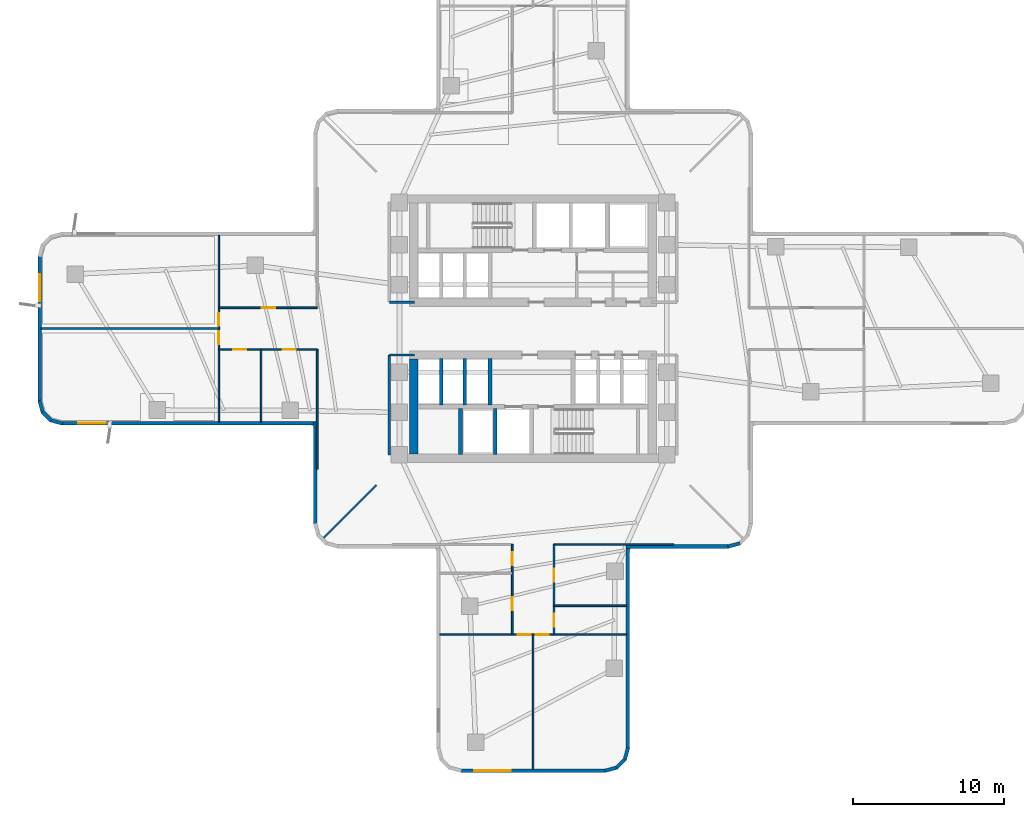
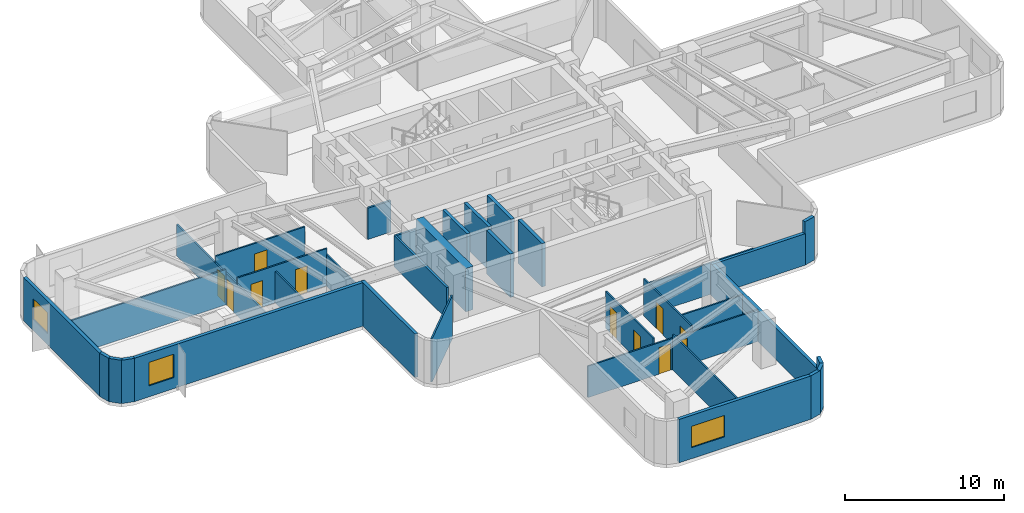
# One storey, part 3 of 9: 35 walls, 11 doors, 3 windows, 14 openings.
"""IFC4 building model written with IfcOpenShell, lengths in metres."""

from ifc_helpers import new_model, si_unit, direction, frame, frame_2d, origin, place, context, subcontext, project, spatial, rectangle, extrude, material, layer, layer_set, type_object, element, fill, save


model = new_model("IFC4")

# Units and contexts
model_context = context("Model", 3, precision=1e-05, world=origin(), true_north=direction((0.0, 1.0)))
body_context = subcontext(model_context, "Body", "Model", "MODEL_VIEW")
ifc_project = project(units=[si_unit("LENGTHUNIT", "METRE"), si_unit("AREAUNIT", "SQUARE_METRE"), si_unit("VOLUMEUNIT", "CUBIC_METRE"), si_unit("PLANEANGLEUNIT", "RADIAN"), si_unit("MASSUNIT", "GRAM", prefix="KILO")], contexts=[model_context])

# Site, building, storey
site_placement = place(None, origin())
site = spatial("IfcSite", under=ifc_project, at=site_placement, CompositionType="ELEMENT")
building_placement = place(site_placement, origin())
building = spatial("IfcBuilding", under=site, at=building_placement, Name="Solmarez Civic Tower", CompositionType="ELEMENT")
storey_placement = place(building_placement, frame((0.0, 0.0, 28.080078125)))
storey = spatial("IfcBuildingStorey", under=building, at=storey_placement, Name="L06", CompositionType="ELEMENT", Elevation=28.080078125)

# Wall
ifc_material_1 = material(Name="Concrete C60/75", Category="concrete")
ifc_layer_1 = layer(ifc_material_1, 0.550048828125)
ifc_layer_set_1 = layer_set([ifc_layer_1], Name="Concrete C60/75")
wall_type_1 = type_object("IfcWallType", Name="WALL-CORE-550", PredefinedType="SHEAR", material=ifc_layer_set_1)
wall_1_placement = place(storey_placement, frame((-7.89501953125, -8.31005859375, 0.0), z_axis=(0.0, 0.0, 1.0), x_axis=(0.0, 1.0, 0.0)))
element("IfcWall", 1, at=wall_1_placement, inside=storey, type_object=wall_type_1, Name="L06 Split-Core Structural Wall SCW-W-L06", PredefinedType="SHEAR", context=body_context, shape_type="SweptSolid", body=[
    extrude(rectangle(XDim=6.28515625, YDim=0.550048828125, at=frame_2d((3.142578125, 0.0))), origin(), (0.0, 0.0, 1.0), 3.33984375),
])

# Wall, opening, window
ifc_material_2 = material(Name="Precast concrete C40/50", Category="concrete")
ifc_layer_2 = layer(ifc_material_2, 0.239990234375)
ifc_layer_set_2 = layer_set([ifc_layer_2], Name="Precast concrete C40/50")
wall_type_2 = type_object("IfcWallType", Name="WALL-EXT-240", PredefinedType="SOLIDWALL", material=ifc_layer_set_2)
wall_2_placement = place(storey_placement, frame((-14.333984375, -6.280029296875, 0.0), z_axis=(0.0, 0.0, 1.0), x_axis=(-1.0, 0.0, 0.0)))
wall_2 = element("IfcWall", 2, at=wall_2_placement, inside=storey, type_object=wall_type_2, Name="L06 Exterior Precast Wall 2", PredefinedType="SOLIDWALL", context=body_context, shape_type="SweptSolid", body=[
    extrude(rectangle(XDim=16.875, YDim=0.239990234375, at=frame_2d((8.4375, 0.0))), origin(), (0.0, 0.0, 1.0), 3.33984375),
])
opening_1_placement = place(wall_2_placement, frame((13.97509765625, 0.0, 0.85009765625)))
opening_1 = element("IfcOpeningElement", 3, at=opening_1_placement, cuts=wall_2, Name="Opening W-08", PredefinedType="OPENING", context=body_context, shape_type="SweptSolid", body=[
    extrude(rectangle(XDim=1.800048828125, YDim=1.800048828125, at=frame_2d((0.89990234375, 0.89990234375))), frame((0.0, 0.1298828125, 0.0), z_axis=(0.0, -1.0, 0.0), x_axis=(1.0, 0.0, 0.0)), (0.0, 0.0, 1.0), 0.260009765625),
])
ifc_material_3 = material(Name="Solar Control Bronze-Tinted Insulating Glass", Category="glass")
window_type_1 = type_object("IfcWindowType", Name="WIN-1800X1800", PartitioningType="SINGLE_PANEL", PredefinedType="WINDOW", material=ifc_material_3)
window_1_placement = place(opening_1_placement, origin())
window_1 = element("IfcWindow", 4, at=window_1_placement, inside=storey, type_object=window_type_1, Name="L06 Exterior Facade Window 2", OverallHeight=1.800048828125, OverallWidth=1.800048828125, PartitioningType="SINGLE_PANEL", PredefinedType="WINDOW", context=body_context, shape_type="SweptSolid", body=[
    extrude(rectangle(XDim=1.800048828125, YDim=1.800048828125, at=frame_2d((0.89990234375, 0.89990234375))), frame((0.0, 0.030029296875, 0.0), z_axis=(0.0, -1.0, 0.0), x_axis=(1.0, 0.0, 0.0)), (0.0, 0.0, 1.0), 0.06005859375),
])
fill(opening_1, window_1)

# Walls
wall_3_placement = place(storey_placement, frame((-31.159912109375, -6.285888671875, 0.0), z_axis=(0.0, 0.0, 1.0), x_axis=(-0.966234939601, 0.25766265056, 0.0)))
element("IfcWall", 5, at=wall_3_placement, inside=storey, type_object=wall_type_2, Name="L06 Exterior Precast Wall 3", PredefinedType="SOLIDWALL", context=body_context, shape_type="SweptSolid", body=[
    extrude(rectangle(XDim=0.830078125, YDim=0.239990234375, at=frame_2d((0.4150390625, 0.0))), origin(), (0.0, 0.0, 1.0), 3.33984375),
])
wall_4_placement = place(storey_placement, frame((-31.919921875, -6.095947265625, 0.0), z_axis=(0.0, 0.0, 1.0), x_axis=(-0.707256607812, 0.706956922808, 0.0)))
element("IfcWall", 6, at=wall_4_placement, inside=storey, type_object=wall_type_2, Name="L06 Exterior Precast Wall 4", PredefinedType="SOLIDWALL", context=body_context, shape_type="SweptSolid", body=[
    extrude(rectangle(XDim=0.814697265625, YDim=0.239990234375, at=frame_2d((0.4072265625, 0.0))), origin(), (0.0, 0.0, 1.0), 3.33984375),
])
wall_5_placement = place(storey_placement, frame((-32.471923828125, -5.56201171875, 0.0), z_axis=(0.0, 0.0, 1.0), x_axis=(-0.257937227116, 0.966161677396, 0.0)))
element("IfcWall", 7, at=wall_5_placement, inside=storey, type_object=wall_type_2, Name="L06 Exterior Precast Wall 5", PredefinedType="SOLIDWALL", context=body_context, shape_type="SweptSolid", body=[
    extrude(rectangle(XDim=0.830078125, YDim=0.239990234375, at=frame_2d((0.4150390625, 0.0))), origin(), (0.0, 0.0, 1.0), 3.33984375),
])

# Wall, opening, window
wall_6_placement = place(storey_placement, frame((-32.679931640625, -4.80908203125, 0.0), z_axis=(0.0, 0.0, 1.0), x_axis=(0.0, 1.0, 0.0)))
wall_6 = element("IfcWall", 8, at=wall_6_placement, inside=storey, type_object=wall_type_2, Name="L06 Exterior Precast Wall 6", PredefinedType="SOLIDWALL", context=body_context, shape_type="SweptSolid", body=[
    extrude(rectangle(XDim=9.6181640625, YDim=0.239990234375, at=frame_2d((4.80908203125, 0.0))), origin(), (0.0, 0.0, 1.0), 3.33984375),
])
opening_2_placement = place(wall_6_placement, frame((6.60205078125, 0.0, 0.85009765625)))
opening_2 = element("IfcOpeningElement", 9, at=opening_2_placement, cuts=wall_6, Name="Opening W-12", PredefinedType="OPENING", context=body_context, shape_type="SweptSolid", body=[
    extrude(rectangle(XDim=1.800048828125, YDim=1.60009765625, at=frame_2d((0.89990234375, 0.800048828125))), frame((0.0, 0.1298828125, 0.0), z_axis=(0.0, -1.0, 0.0), x_axis=(1.0, 0.0, 0.0)), (0.0, 0.0, 1.0), 0.260009765625),
])
window_type_2 = type_object("IfcWindowType", Name="WIN-1800X1600", PartitioningType="SINGLE_PANEL", PredefinedType="WINDOW", material=ifc_material_3)
window_2_placement = place(opening_2_placement, origin())
window_2 = element("IfcWindow", 10, at=window_2_placement, inside=storey, type_object=window_type_2, Name="L06 Exterior Facade Window 6", OverallHeight=1.60009765625, OverallWidth=1.800048828125, PartitioningType="SINGLE_PANEL", PredefinedType="WINDOW", context=body_context, shape_type="SweptSolid", body=[
    extrude(rectangle(XDim=1.800048828125, YDim=1.60009765625, at=frame_2d((0.89990234375, 0.800048828125))), frame((0.0, 0.030029296875, 0.0), z_axis=(0.0, -1.0, 0.0), x_axis=(1.0, 0.0, 0.0)), (0.0, 0.0, 1.0), 0.06005859375),
])
fill(opening_2, window_2)

# Walls
wall_7_placement = place(storey_placement, frame((13.7119140625, -14.221923828125, 0.0), z_axis=(0.0, 0.0, 1.0), x_axis=(-0.966161677396, -0.257937227116, 0.0)))
element("IfcWall", 11, at=wall_7_placement, inside=storey, type_object=wall_type_2, Name="L06 Exterior Precast Wall 52", PredefinedType="SOLIDWALL", context=body_context, shape_type="SweptSolid", body=[
    extrude(rectangle(XDim=0.830078125, YDim=0.239990234375, at=frame_2d((0.4150390625, 0.0))), origin(), (0.0, 0.0, 1.0), 3.33984375),
])
wall_8_placement = place(storey_placement, frame((12.958984375, -14.429931640625, 0.0), z_axis=(0.0, 0.0, 1.0), x_axis=(-1.0, 0.0, 0.0)))
element("IfcWall", 12, at=wall_8_placement, inside=storey, type_object=wall_type_2, Name="L06 Exterior Precast Wall 53", PredefinedType="SOLIDWALL", context=body_context, shape_type="SweptSolid", body=[
    extrude(rectangle(XDim=6.77490234375, YDim=0.239990234375, at=frame_2d((3.387451171875, 0.0))), origin(), (0.0, 0.0, 1.0), 2.4208984375),
])
wall_9_placement = place(storey_placement, frame((6.280029296875, -14.333984375, 0.0), z_axis=(0.0, 0.0, 1.0), x_axis=(0.0, -1.0, 0.0)))
element("IfcWall", 13, at=wall_9_placement, inside=storey, type_object=wall_type_2, Name="L06 Exterior Precast Wall 56", PredefinedType="SOLIDWALL", context=body_context, shape_type="SweptSolid", body=[
    extrude(rectangle(XDim=13.47509765625, YDim=0.239990234375, at=frame_2d((6.737548828125, 0.0))), origin(), (0.0, 0.0, 1.0), 2.4208984375),
])
wall_10_placement = place(storey_placement, frame((6.285888671875, -27.760009765625, 0.0), z_axis=(0.0, 0.0, 1.0), x_axis=(-0.25766265056, -0.966234939601, 0.0)))
element("IfcWall", 14, at=wall_10_placement, inside=storey, type_object=wall_type_2, Name="L06 Exterior Precast Wall 57", PredefinedType="SOLIDWALL", context=body_context, shape_type="SweptSolid", body=[
    extrude(rectangle(XDim=0.830078125, YDim=0.239990234375, at=frame_2d((0.4150390625, 0.0))), origin(), (0.0, 0.0, 1.0), 3.33984375),
])
wall_11_placement = place(storey_placement, frame((6.095947265625, -28.52001953125, 0.0), z_axis=(0.0, 0.0, 1.0), x_axis=(-0.707106781187, -0.707106781187, 0.0)))
element("IfcWall", 15, at=wall_11_placement, inside=storey, type_object=wall_type_2, Name="L06 Exterior Precast Wall 58", PredefinedType="SOLIDWALL", context=body_context, shape_type="SweptSolid", body=[
    extrude(rectangle(XDim=0.814453125, YDim=0.239990234375, at=frame_2d((0.4072265625, 0.0))), origin(), (0.0, 0.0, 1.0), 3.33984375),
])
wall_12_placement = place(storey_placement, frame((5.56201171875, -29.072021484375, 0.0), z_axis=(0.0, 0.0, 1.0), x_axis=(-0.966234939601, -0.25766265056, 0.0)))
element("IfcWall", 16, at=wall_12_placement, inside=storey, type_object=wall_type_2, Name="L06 Exterior Precast Wall 59", PredefinedType="SOLIDWALL", context=body_context, shape_type="SweptSolid", body=[
    extrude(rectangle(XDim=0.830078125, YDim=0.239990234375, at=frame_2d((0.4150390625, 0.0))), origin(), (0.0, 0.0, 1.0), 3.33984375),
])

# Wall, opening, window
wall_13_placement = place(storey_placement, frame((4.80908203125, -29.280029296875, 0.0), z_axis=(0.0, 0.0, 1.0), x_axis=(-1.0, 0.0, 0.0)))
wall_13 = element("IfcWall", 17, at=wall_13_placement, inside=storey, type_object=wall_type_2, Name="L06 Exterior Precast Wall 60", PredefinedType="SOLIDWALL", context=body_context, shape_type="SweptSolid", body=[
    extrude(rectangle(XDim=9.6181640625, YDim=0.239990234375, at=frame_2d((4.80908203125, 0.0))), origin(), (0.0, 0.0, 1.0), 3.33984375),
])
opening_3_placement = place(wall_13_placement, frame((6.302001953125, 0.0, 0.85009765625)))
opening_3 = element("IfcOpeningElement", 18, at=opening_3_placement, cuts=wall_13, Name="Opening W-10", PredefinedType="OPENING", context=body_context, shape_type="SweptSolid", body=[
    extrude(rectangle(XDim=2.39990234375, YDim=1.64990234375, at=frame_2d((1.199951171875, 0.824951171875))), frame((0.0, 0.1298828125, 0.0), z_axis=(0.0, -1.0, 0.0), x_axis=(1.0, 0.0, 0.0)), (0.0, 0.0, 1.0), 0.260009765625),
])
window_type_3 = type_object("IfcWindowType", Name="WIN-2400X1650", PartitioningType="SINGLE_PANEL", PredefinedType="WINDOW", material=ifc_material_3)
window_3_placement = place(opening_3_placement, origin())
window_3 = element("IfcWindow", 19, at=window_3_placement, inside=storey, type_object=window_type_3, Name="L06 Exterior Facade Window 60", OverallHeight=1.64990234375, OverallWidth=2.39990234375, PartitioningType="SINGLE_PANEL", PredefinedType="WINDOW", context=body_context, shape_type="SweptSolid", body=[
    extrude(rectangle(XDim=2.39990234375, YDim=1.64990234375, at=frame_2d((1.199951171875, 0.824951171875))), frame((0.0, 0.030029296875, 0.0), z_axis=(0.0, -1.0, 0.0), x_axis=(1.0, 0.0, 0.0)), (0.0, 0.0, 1.0), 0.06005859375),
])
fill(opening_3, window_3)

# Walls
wall_14_placement = place(storey_placement, frame((-14.429931640625, -12.958984375, 0.0), z_axis=(0.0, 0.0, 1.0), x_axis=(0.0, 1.0, 0.0)))
element("IfcWall", 20, at=wall_14_placement, inside=storey, type_object=wall_type_2, Name="L06 Exterior Precast Wall 71", PredefinedType="SOLIDWALL", context=body_context, shape_type="SweptSolid", body=[
    extrude(rectangle(XDim=6.77490234375, YDim=0.239990234375, at=frame_2d((3.387451171875, 0.0))), origin(), (0.0, 0.0, 1.0), 3.33984375),
])
ifc_material_4 = material(Name="Gypsum Board Acoustic Steel-Stud Partition", Category="steel")
ifc_layer_3 = layer(ifc_material_4, 0.14990234375)
ifc_layer_set_3 = layer_set([ifc_layer_3], Name="Gypsum Board Acoustic Steel-Stud Partition")
wall_type_3 = type_object("IfcWallType", Name="WALL-INT-FIRE-150", PredefinedType="PARTITIONING", material=ifc_layer_set_3)
wall_15_placement = place(storey_placement, frame((-7.85009765625, 1.75, 0.0), z_axis=(0.0, 0.0, 1.0), x_axis=(-1.0, 0.0, 0.0)))
element("IfcWall", 21, at=wall_15_placement, inside=storey, type_object=wall_type_3, Name="L06 Interior Partition CHW-L06-WN3", PredefinedType="PARTITIONING", context=body_context, shape_type="SweptSolid", body=[
    extrude(rectangle(XDim=1.669921875, YDim=0.14990234375, at=frame_2d((0.8349609375, 0.0))), origin(), (0.0, 0.0, 1.0), 2.405029296875),
])
wall_16_placement = place(storey_placement, frame((-9.52001953125, -8.3798828125, 0.0), z_axis=(0.0, 0.0, 1.0), x_axis=(0.0, 1.0, 0.0)))
element("IfcWall", 22, at=wall_16_placement, inside=storey, type_object=wall_type_3, Name="L06 Interior Partition CHW-L06-WS1", PredefinedType="PARTITIONING", context=body_context, shape_type="SweptSolid", body=[
    extrude(rectangle(XDim=6.6298828125, YDim=0.14990234375, at=frame_2d((3.31494140625, 0.0))), origin(), (0.0, 0.0, 1.0), 2.4208984375),
])
wall_17_placement = place(storey_placement, frame((-7.85009765625, -1.75, 0.0), z_axis=(0.0, 0.0, 1.0), x_axis=(-1.0, 0.0, 0.0)))
element("IfcWall", 23, at=wall_17_placement, inside=storey, type_object=wall_type_3, Name="L06 Interior Partition CHW-L06-WS3", PredefinedType="PARTITIONING", context=body_context, shape_type="SweptSolid", body=[
    extrude(rectangle(XDim=1.669921875, YDim=0.14990234375, at=frame_2d((0.8349609375, 0.0))), origin(), (0.0, 0.0, 1.0), 2.405029296875),
])
ifc_layer_4 = layer(ifc_material_4, 0.110107421875)
ifc_layer_set_4 = layer_set([ifc_layer_4], Name="Gypsum Board Acoustic Steel-Stud Partition")
wall_type_4 = type_object("IfcWallType", Name="WALL-INT-PART-110", PredefinedType="PARTITIONING", material=ifc_layer_set_4)
wall_18_placement = place(storey_placement, frame((-10.3798828125, -10.3798828125, 0.0), z_axis=(0.0, 0.0, 1.0), x_axis=(-0.707106781187, -0.707106781187, 0.0)))
element("IfcWall", 24, at=wall_18_placement, inside=storey, type_object=wall_type_4, Name="L06 Interior Partition PT-L06-QDIV-3", PredefinedType="PARTITIONING", context=body_context, shape_type="SweptSolid", body=[
    extrude(rectangle(XDim=4.975341796875, YDim=0.110107421875, at=frame_2d((2.48779296875, 0.0))), origin(), (0.0, 0.0, 1.0), 3.33984375),
])
wall_19_placement = place(storey_placement, frame((-14.2900390625, -1.3701171875, 0.0), z_axis=(0.0, 0.0, 1.0), x_axis=(0.0, -1.0, 0.0)))
element("IfcWall", 25, at=wall_19_placement, inside=storey, type_object=wall_type_4, Name="L06 Interior Partition PT-L06-W-EFL", PredefinedType="PARTITIONING", context=body_context, shape_type="SweptSolid", body=[
    extrude(rectangle(XDim=7.949951171875, YDim=0.110107421875, at=frame_2d((3.97509765625, 0.0))), origin(), (0.0, 0.0, 1.0), 2.4208984375),
])
wall_20_placement = place(storey_placement, frame((-18.010009765625, -1.39990234375, 0.0), z_axis=(0.0, 0.0, 1.0), x_axis=(0.0, -1.0, 0.0)))
element("IfcWall", 26, at=wall_20_placement, inside=storey, type_object=wall_type_4, Name="L06 Interior Partition PT-L06-W-LM", PredefinedType="PARTITIONING", context=body_context, shape_type="SweptSolid", body=[
    extrude(rectangle(XDim=4.795166015625, YDim=0.110107421875, at=frame_2d((2.3974609375, 0.0))), origin(), (0.0, 0.0, 1.0), 2.4208984375),
])

# Wall, openings, doors
wall_21_placement = place(storey_placement, frame((-20.81005859375, -1.3798828125, 0.0), z_axis=(0.0, 0.0, 1.0), x_axis=(1.0, 0.0, 0.0)))
wall_21 = element("IfcWall", 27, at=wall_21_placement, inside=storey, type_object=wall_type_4, Name="L06 Interior Partition PT-L06-W-SL", PredefinedType="PARTITIONING", context=body_context, shape_type="SweptSolid", body=[
    extrude(rectangle(XDim=6.52001953125, YDim=0.110107421875, at=frame_2d((3.260009765625, 0.0))), origin(), (0.0, 0.0, 1.0), 2.868896484375),
])
opening_4_placement = place(wall_21_placement, frame((4.22998046875, 0.0, 0.0)))
opening_4 = element("IfcOpeningElement", 28, at=opening_4_placement, cuts=wall_21, Name="Opening D-14", PredefinedType="OPENING", context=body_context, shape_type="SweptSolid", body=[
    extrude(rectangle(XDim=0.860107421875, YDim=2.0400390625, at=frame_2d((0.43017578125, 1.02001953125))), frame((0.0, 0.06494140625, 0.0), z_axis=(0.0, -1.0, 0.0), x_axis=(1.0, 0.0, 0.0)), (0.0, 0.0, 1.0), 0.130126953125),
])
opening_5_placement = place(wall_21_placement, frame((0.969970703125, 0.0, 0.0)))
opening_5 = element("IfcOpeningElement", 29, at=opening_5_placement, cuts=wall_21, Name="Opening D-14", PredefinedType="OPENING", context=body_context, shape_type="SweptSolid", body=[
    extrude(rectangle(XDim=0.860107421875, YDim=2.0400390625, at=frame_2d((0.43017578125, 1.02001953125))), frame((0.0, 0.06494140625, 0.0), z_axis=(0.0, -1.0, 0.0), x_axis=(1.0, 0.0, 0.0)), (0.0, 0.0, 1.0), 0.130126953125),
])
ifc_material_5 = material(Name="Timber Storage and Pantry Door", Category="wood")
door_type_1 = type_object("IfcDoorType", Name="DOOR-INT-850", OperationType="NOTDEFINED", PredefinedType="DOOR", material=ifc_material_5)
door_1_placement = place(opening_4_placement, origin())
door_1 = element("IfcDoor", 30, at=door_1_placement, inside=storey, type_object=door_type_1, Name="L06 Policy Boardroom First West Door", OperationType="SINGLE_SWING_LEFT", OverallHeight=2.0400390625, OverallWidth=0.860107421875, PredefinedType="DOOR", context=body_context, shape_type="SweptSolid", body=[
    extrude(rectangle(XDim=0.860107421875, YDim=2.0400390625, at=frame_2d((0.43017578125, 1.02001953125))), frame((0.0, 0.02490234375, 0.0), z_axis=(0.0, -1.0, 0.0), x_axis=(1.0, 0.0, 0.0)), (0.0, 0.0, 1.0), 0.050048828125),
])
fill(opening_4, door_1)
door_2_placement = place(opening_5_placement, origin())
door_2 = element("IfcDoor", 31, at=door_2_placement, inside=storey, type_object=door_type_1, Name="L06 Staff Pantry Second West Door", OperationType="SINGLE_SWING_RIGHT", OverallHeight=2.0400390625, OverallWidth=0.860107421875, PredefinedType="DOOR", context=body_context, shape_type="SweptSolid", body=[
    extrude(rectangle(XDim=0.860107421875, YDim=2.0400390625, at=frame_2d((0.43017578125, 1.02001953125))), frame((0.0, 0.02490234375, 0.0), z_axis=(0.0, -1.0, 0.0), x_axis=(1.0, 0.0, 0.0)), (0.0, 0.0, 1.0), 0.050048828125),
])
fill(opening_5, door_2)

# Wall, opening, door
wall_22_placement = place(storey_placement, frame((-14.2900390625, 1.3798828125, 0.0), z_axis=(0.0, 0.0, 1.0), x_axis=(-1.0, 0.0, 0.0)))
wall_22 = element("IfcWall", 32, at=wall_22_placement, inside=storey, type_object=wall_type_4, Name="L06 Interior Partition PT-L06-W-SR", PredefinedType="PARTITIONING", context=body_context, shape_type="SweptSolid", body=[
    extrude(rectangle(XDim=6.52001953125, YDim=0.110107421875, at=frame_2d((3.260009765625, 0.0))), origin(), (0.0, 0.0, 1.0), 2.868896484375),
])
opening_6_placement = place(wall_22_placement, frame((2.780029296875, 0.0, 0.0)))
opening_6 = element("IfcOpeningElement", 33, at=opening_6_placement, cuts=wall_22, Name="Opening D-08", PredefinedType="OPENING", context=body_context, shape_type="SweptSolid", body=[
    extrude(rectangle(XDim=0.89990234375, YDim=2.06005859375, at=frame_2d((0.449951171875, 1.030029296875))), frame((0.0, 0.06494140625, 0.0), z_axis=(0.0, -1.0, 0.0), x_axis=(1.0, 0.0, 0.0)), (0.0, 0.0, 1.0), 0.130126953125),
])
ifc_material_6 = material(Name="Solid-Core Timber Office Door", Category="wood")
door_type_2 = type_object("IfcDoorType", Name="DOOR-INT-900", OperationType="NOTDEFINED", PredefinedType="DOOR", material=ifc_material_6)
door_3_placement = place(opening_6_placement, origin())
door_3 = element("IfcDoor", 34, at=door_3_placement, inside=storey, type_object=door_type_2, Name="L06 Ministry Open Workspace Third West Door", OperationType="SINGLE_SWING_RIGHT", OverallHeight=2.06005859375, OverallWidth=0.89990234375, PredefinedType="DOOR", context=body_context, shape_type="SweptSolid", body=[
    extrude(rectangle(XDim=0.89990234375, YDim=2.06005859375, at=frame_2d((0.449951171875, 1.030029296875))), frame((0.0, 0.02490234375, 0.0), z_axis=(0.0, -1.0, 0.0), x_axis=(1.0, 0.0, 0.0)), (0.0, 0.0, 1.0), 0.050048828125),
])
fill(opening_6, door_3)

# Wall
wall_23_placement = place(storey_placement, frame((-20.8701171875, 0.0, 0.0), z_axis=(0.0, 0.0, 1.0), x_axis=(-1.0, 0.0, 0.0)))
element("IfcWall", 35, at=wall_23_placement, inside=storey, type_object=wall_type_4, Name="L06 Interior Partition PT-L06-W-TM", PredefinedType="PARTITIONING", context=body_context, shape_type="SweptSolid", body=[
    extrude(rectangle(XDim=11.724853515625, YDim=0.110107421875, at=frame_2d((5.8623046875, 0.0))), origin(), (0.0, 0.0, 1.0), 2.719970703125),
])

# Wall, openings, doors
wall_24_placement = place(storey_placement, frame((-20.81005859375, -6.195068359375, 0.0), z_axis=(0.0, 0.0, 1.0), x_axis=(0.0, 1.0, 0.0)))
wall_24 = element("IfcWall", 36, at=wall_24_placement, inside=storey, type_object=wall_type_4, Name="L06 Interior Partition PT-L06-W-END", PredefinedType="PARTITIONING", context=body_context, shape_type="SweptSolid", body=[
    extrude(rectangle(XDim=12.39013671875, YDim=0.110107421875, at=frame_2d((6.195068359375, 0.0))), origin(), (0.0, 0.0, 1.0), 2.4208984375),
])
opening_7_placement = place(wall_24_placement, frame((6.364990234375, 0.0, 0.0)))
opening_7 = element("IfcOpeningElement", 37, at=opening_7_placement, cuts=wall_24, Name="Opening D-14", PredefinedType="OPENING", context=body_context, shape_type="SweptSolid", body=[
    extrude(rectangle(XDim=0.860107421875, YDim=2.0400390625, at=frame_2d((0.43017578125, 1.02001953125))), frame((0.0, 0.06494140625, 0.0), z_axis=(0.0, -1.0, 0.0), x_axis=(1.0, 0.0, 0.0)), (0.0, 0.0, 1.0), 0.130126953125),
])
opening_8_placement = place(wall_24_placement, frame((5.1650390625, 0.0, 0.0)))
opening_8 = element("IfcOpeningElement", 38, at=opening_8_placement, cuts=wall_24, Name="Opening D-14", PredefinedType="OPENING", context=body_context, shape_type="SweptSolid", body=[
    extrude(rectangle(XDim=0.860107421875, YDim=2.0400390625, at=frame_2d((0.43017578125, 1.02001953125))), frame((0.0, 0.06494140625, 0.0), z_axis=(0.0, -1.0, 0.0), x_axis=(1.0, 0.0, 0.0)), (0.0, 0.0, 1.0), 0.130126953125),
])
door_4_placement = place(opening_7_placement, origin())
door_4 = element("IfcDoor", 39, at=door_4_placement, inside=storey, type_object=door_type_1, Name="L06 Directorate Office Sixth West Door", OperationType="SINGLE_SWING_RIGHT", OverallHeight=2.0400390625, OverallWidth=0.860107421875, PredefinedType="DOOR", context=body_context, shape_type="SweptSolid", body=[
    extrude(rectangle(XDim=0.860107421875, YDim=2.0400390625, at=frame_2d((0.43017578125, 1.02001953125))), frame((0.0, 0.02490234375, 0.0), z_axis=(0.0, -1.0, 0.0), x_axis=(1.0, 0.0, 0.0)), (0.0, 0.0, 1.0), 0.050048828125),
])
fill(opening_7, door_4)
door_5_placement = place(opening_8_placement, origin())
door_5 = element("IfcDoor", 40, at=door_5_placement, inside=storey, type_object=door_type_1, Name="L06 Ministry Open Workspace Fifth West Door", OperationType="SINGLE_SWING_LEFT", OverallHeight=2.0400390625, OverallWidth=0.860107421875, PredefinedType="DOOR", context=body_context, shape_type="SweptSolid", body=[
    extrude(rectangle(XDim=0.860107421875, YDim=2.0400390625, at=frame_2d((0.43017578125, 1.02001953125))), frame((0.0, 0.02490234375, 0.0), z_axis=(0.0, -1.0, 0.0), x_axis=(1.0, 0.0, 0.0)), (0.0, 0.0, 1.0), 0.050048828125),
])
fill(opening_8, door_5)

# Walls
wall_25_placement = place(storey_placement, frame((1.3701171875, -14.2900390625, 0.0), z_axis=(0.0, 0.0, 1.0), x_axis=(1.0, 0.0, 0.0)))
element("IfcWall", 41, at=wall_25_placement, inside=storey, type_object=wall_type_4, Name="L06 Interior Partition PT-L06-S-EFL", PredefinedType="PARTITIONING", context=body_context, shape_type="SweptSolid", body=[
    extrude(rectangle(XDim=7.949951171875, YDim=0.110107421875, at=frame_2d((3.97509765625, 0.0))), origin(), (0.0, 0.0, 1.0), 2.4208984375),
])
wall_26_placement = place(storey_placement, frame((1.39990234375, -18.360107421875, 0.0), z_axis=(0.0, 0.0, 1.0), x_axis=(1.0, 0.0, 0.0)))
element("IfcWall", 42, at=wall_26_placement, inside=storey, type_object=wall_type_4, Name="L06 Interior Partition PT-L06-S-LM", PredefinedType="PARTITIONING", context=body_context, shape_type="SweptSolid", body=[
    extrude(rectangle(XDim=4.795166015625, YDim=0.110107421875, at=frame_2d((2.3974609375, 0.0))), origin(), (0.0, 0.0, 1.0), 2.4208984375),
])

# Wall, openings, doors
wall_27_placement = place(storey_placement, frame((1.3798828125, -20.27001953125, 0.0), z_axis=(0.0, 0.0, 1.0), x_axis=(0.0, 1.0, 0.0)))
wall_27 = element("IfcWall", 43, at=wall_27_placement, inside=storey, type_object=wall_type_4, Name="L06 Interior Partition PT-L06-S-SL", PredefinedType="PARTITIONING", context=body_context, shape_type="SweptSolid", body=[
    extrude(rectangle(XDim=5.97998046875, YDim=0.110107421875, at=frame_2d((2.989990234375, 0.0))), origin(), (0.0, 0.0, 1.0), 2.868896484375),
])
opening_9_placement = place(wall_27_placement, frame((3.514892578125, 0.0, 0.0)))
opening_9 = element("IfcOpeningElement", 44, at=opening_9_placement, cuts=wall_27, Name="Opening D-14", PredefinedType="OPENING", context=body_context, shape_type="SweptSolid", body=[
    extrude(rectangle(XDim=0.860107421875, YDim=2.0400390625, at=frame_2d((0.43017578125, 1.02001953125))), frame((0.0, 0.06494140625, 0.0), z_axis=(0.0, -1.0, 0.0), x_axis=(1.0, 0.0, 0.0)), (0.0, 0.0, 1.0), 0.130126953125),
])
opening_10_placement = place(wall_27_placement, frame((0.52490234375, 0.0, 0.0)))
opening_10 = element("IfcOpeningElement", 45, at=opening_10_placement, cuts=wall_27, Name="Opening D-14", PredefinedType="OPENING", context=body_context, shape_type="SweptSolid", body=[
    extrude(rectangle(XDim=0.860107421875, YDim=2.0400390625, at=frame_2d((0.43017578125, 1.02001953125))), frame((0.0, 0.06494140625, 0.0), z_axis=(0.0, -1.0, 0.0), x_axis=(1.0, 0.0, 0.0)), (0.0, 0.0, 1.0), 0.130126953125),
])
door_6_placement = place(opening_9_placement, origin())
door_6 = element("IfcDoor", 46, at=door_6_placement, inside=storey, type_object=door_type_1, Name="L06 Staff Pantry First South Door", OperationType="SINGLE_SWING_LEFT", OverallHeight=2.0400390625, OverallWidth=0.860107421875, PredefinedType="DOOR", context=body_context, shape_type="SweptSolid", body=[
    extrude(rectangle(XDim=0.860107421875, YDim=2.0400390625, at=frame_2d((0.43017578125, 1.02001953125))), frame((0.0, 0.02490234375, 0.0), z_axis=(0.0, -1.0, 0.0), x_axis=(1.0, 0.0, 0.0)), (0.0, 0.0, 1.0), 0.050048828125),
])
fill(opening_9, door_6)
door_7_placement = place(opening_10_placement, origin())
door_7 = element("IfcDoor", 47, at=door_7_placement, inside=storey, type_object=door_type_1, Name="L06 Ministry Open Workspace Second South Door", OperationType="SINGLE_SWING_RIGHT", OverallHeight=2.0400390625, OverallWidth=0.860107421875, PredefinedType="DOOR", context=body_context, shape_type="SweptSolid", body=[
    extrude(rectangle(XDim=0.860107421875, YDim=2.0400390625, at=frame_2d((0.43017578125, 1.02001953125))), frame((0.0, 0.02490234375, 0.0), z_axis=(0.0, -1.0, 0.0), x_axis=(1.0, 0.0, 0.0)), (0.0, 0.0, 1.0), 0.050048828125),
])
fill(opening_10, door_7)

wall_28_placement = place(storey_placement, frame((-1.3798828125, -14.2900390625, 0.0), z_axis=(0.0, 0.0, 1.0), x_axis=(0.0, -1.0, 0.0)))
wall_28 = element("IfcWall", 48, at=wall_28_placement, inside=storey, type_object=wall_type_4, Name="L06 Interior Partition PT-L06-S-SR", PredefinedType="PARTITIONING", context=body_context, shape_type="SweptSolid", body=[
    extrude(rectangle(XDim=5.97998046875, YDim=0.110107421875, at=frame_2d((2.989990234375, 0.0))), origin(), (0.0, 0.0, 1.0), 2.868896484375),
])
opening_11_placement = place(wall_28_placement, frame((0.52490234375, 0.0, 0.0)))
opening_11 = element("IfcOpeningElement", 49, at=opening_11_placement, cuts=wall_28, Name="Opening D-14", PredefinedType="OPENING", context=body_context, shape_type="SweptSolid", body=[
    extrude(rectangle(XDim=0.860107421875, YDim=2.0400390625, at=frame_2d((0.43017578125, 1.02001953125))), frame((0.0, 0.06494140625, 0.0), z_axis=(0.0, -1.0, 0.0), x_axis=(1.0, 0.0, 0.0)), (0.0, 0.0, 1.0), 0.130126953125),
])
opening_12_placement = place(wall_28_placement, frame((3.514892578125, 0.0, 0.0)))
opening_12 = element("IfcOpeningElement", 50, at=opening_12_placement, cuts=wall_28, Name="Opening D-14", PredefinedType="OPENING", context=body_context, shape_type="SweptSolid", body=[
    extrude(rectangle(XDim=0.860107421875, YDim=2.0400390625, at=frame_2d((0.43017578125, 1.02001953125))), frame((0.0, 0.06494140625, 0.0), z_axis=(0.0, -1.0, 0.0), x_axis=(1.0, 0.0, 0.0)), (0.0, 0.0, 1.0), 0.130126953125),
])
door_8_placement = place(opening_11_placement, origin())
door_8 = element("IfcDoor", 51, at=door_8_placement, inside=storey, type_object=door_type_1, Name="L06 Directorate Office Third South Door", OperationType="SINGLE_SWING_RIGHT", OverallHeight=2.0400390625, OverallWidth=0.860107421875, PredefinedType="DOOR", context=body_context, shape_type="SweptSolid", body=[
    extrude(rectangle(XDim=0.860107421875, YDim=2.0400390625, at=frame_2d((0.43017578125, 1.02001953125))), frame((0.0, 0.02490234375, 0.0), z_axis=(0.0, -1.0, 0.0), x_axis=(1.0, 0.0, 0.0)), (0.0, 0.0, 1.0), 0.050048828125),
])
fill(opening_11, door_8)
door_9_placement = place(opening_12_placement, origin())
door_9 = element("IfcDoor", 52, at=door_9_placement, inside=storey, type_object=door_type_1, Name="L06 Policy Boardroom Fourth South Door", OperationType="SINGLE_SWING_LEFT", OverallHeight=2.0400390625, OverallWidth=0.860107421875, PredefinedType="DOOR", context=body_context, shape_type="SweptSolid", body=[
    extrude(rectangle(XDim=0.860107421875, YDim=2.0400390625, at=frame_2d((0.43017578125, 1.02001953125))), frame((0.0, 0.02490234375, 0.0), z_axis=(0.0, -1.0, 0.0), x_axis=(1.0, 0.0, 0.0)), (0.0, 0.0, 1.0), 0.050048828125),
])
fill(opening_12, door_9)

# Wall
wall_29_placement = place(storey_placement, frame((0.0, -20.330078125, 0.0), z_axis=(0.0, 0.0, 1.0), x_axis=(0.0, -1.0, 0.0)))
element("IfcWall", 53, at=wall_29_placement, inside=storey, type_object=wall_type_4, Name="L06 Interior Partition PT-L06-S-TM", PredefinedType="PARTITIONING", context=body_context, shape_type="SweptSolid", body=[
    extrude(rectangle(XDim=8.864990234375, YDim=0.110107421875, at=frame_2d((4.4326171875, 0.0))), origin(), (0.0, 0.0, 1.0), 2.719970703125),
])

# Wall, openings, doors
wall_30_placement = place(storey_placement, frame((6.195068359375, -20.27001953125, 0.0), z_axis=(0.0, 0.0, 1.0), x_axis=(-1.0, 0.0, 0.0)))
wall_30 = element("IfcWall", 54, at=wall_30_placement, inside=storey, type_object=wall_type_4, Name="L06 Interior Partition PT-L06-S-END", PredefinedType="PARTITIONING", context=body_context, shape_type="SweptSolid", body=[
    extrude(rectangle(XDim=12.39013671875, YDim=0.110107421875, at=frame_2d((6.195068359375, 0.0))), origin(), (0.0, 0.0, 1.0), 2.4208984375),
])
opening_13_placement = place(wall_30_placement, frame((6.364990234375, 0.0, 0.0)))
opening_13 = element("IfcOpeningElement", 55, at=opening_13_placement, cuts=wall_30, Name="Opening D-14", PredefinedType="OPENING", context=body_context, shape_type="SweptSolid", body=[
    extrude(rectangle(XDim=0.860107421875, YDim=2.0400390625, at=frame_2d((0.43017578125, 1.02001953125))), frame((0.0, 0.06494140625, 0.0), z_axis=(0.0, -1.0, 0.0), x_axis=(1.0, 0.0, 0.0)), (0.0, 0.0, 1.0), 0.130126953125),
])
opening_14_placement = place(wall_30_placement, frame((5.1650390625, 0.0, 0.0)))
opening_14 = element("IfcOpeningElement", 56, at=opening_14_placement, cuts=wall_30, Name="Opening D-14", PredefinedType="OPENING", context=body_context, shape_type="SweptSolid", body=[
    extrude(rectangle(XDim=0.860107421875, YDim=2.0400390625, at=frame_2d((0.43017578125, 1.02001953125))), frame((0.0, 0.06494140625, 0.0), z_axis=(0.0, -1.0, 0.0), x_axis=(1.0, 0.0, 0.0)), (0.0, 0.0, 1.0), 0.130126953125),
])
door_10_placement = place(opening_13_placement, origin())
door_10 = element("IfcDoor", 57, at=door_10_placement, inside=storey, type_object=door_type_1, Name="L06 Policy Boardroom Sixth South Door", OperationType="SINGLE_SWING_RIGHT", OverallHeight=2.0400390625, OverallWidth=0.860107421875, PredefinedType="DOOR", context=body_context, shape_type="SweptSolid", body=[
    extrude(rectangle(XDim=0.860107421875, YDim=2.0400390625, at=frame_2d((0.43017578125, 1.02001953125))), frame((0.0, 0.02490234375, 0.0), z_axis=(0.0, -1.0, 0.0), x_axis=(1.0, 0.0, 0.0)), (0.0, 0.0, 1.0), 0.050048828125),
])
fill(opening_13, door_10)
door_11_placement = place(opening_14_placement, origin())
door_11 = element("IfcDoor", 58, at=door_11_placement, inside=storey, type_object=door_type_1, Name="L06 Directorate Office Fifth South Door", OperationType="SINGLE_SWING_LEFT", OverallHeight=2.0400390625, OverallWidth=0.860107421875, PredefinedType="DOOR", context=body_context, shape_type="SweptSolid", body=[
    extrude(rectangle(XDim=0.860107421875, YDim=2.0400390625, at=frame_2d((0.43017578125, 1.02001953125))), frame((0.0, 0.02490234375, 0.0), z_axis=(0.0, -1.0, 0.0), x_axis=(1.0, 0.0, 0.0)), (0.0, 0.0, 1.0), 0.050048828125),
])
fill(opening_14, door_11)

# Walls
ifc_material_7 = material(Name="Concrete C50/60", Category="concrete")
ifc_layer_5 = layer(ifc_material_7, 0.300048828125)
ifc_layer_set_5 = layer_set([ifc_layer_5], Name="Concrete C50/60")
wall_type_5 = type_object("IfcWallType", Name="WALL-STR-300", PredefinedType="SOLIDWALL", material=ifc_layer_set_5)
for number, where, z_axis, x_axis, name in (
    (59, (-2.5, -8.340087890625, 0.0), (0.0, 0.0, 1.0), (0.0, 1.0, 0.0), "L06 Split-Core Structural Wall SHW-S2-L06"),
    (60, (-4.800048828125, -8.340087890625, 0.0), (0.0, 0.0, 1.0), (0.0, 1.0, 0.0), "L06 Split-Core Structural Wall SHW-S3-L06"),
):
    element("IfcWall", number, at=place(storey_placement, frame(where, z_axis=z_axis, x_axis=x_axis)), inside=storey, type_object=wall_type_5, Name=name, PredefinedType="SOLIDWALL", context=body_context, shape_type="SweptSolid", body=[
        extrude(rectangle(XDim=3.0400390625, YDim=0.25, at=frame_2d((1.52001953125, 0.0))), origin(), (0.0, 0.0, 1.0), 3.33984375),
    ])
wall_31_placement = place(storey_placement, frame((-2.85009765625, -5.050048828125, 0.0), z_axis=(0.0, 0.0, 1.0), x_axis=(0.0, 1.0, 0.0)))
element("IfcWall", 61, at=wall_31_placement, inside=storey, type_object=wall_type_5, Name="L06 Split-Core Structural Wall SHW-SL1-L06", PredefinedType="SOLIDWALL", context=body_context, shape_type="SweptSolid", body=[
    extrude(rectangle(XDim=3.070068359375, YDim=0.25, at=frame_2d((1.53515625, 0.0))), origin(), (0.0, 0.0, 1.0), 3.33984375),
])
for number, where, z_axis, x_axis, name in (
    (62, (-6.080078125, -5.050048828125, 0.0), (0.0, 0.0, 1.0), (0.0, 1.0, 0.0), "L06 Split-Core Structural Wall SHW-PLM-L06-1"),
    (63, (-4.52001953125, -5.050048828125, 0.0), (0.0, 0.0, 1.0), (0.0, 1.0, 0.0), "L06 Split-Core Structural Wall SHW-PLM-L06-2"),
):
    element("IfcWall", number, at=place(storey_placement, frame(where, z_axis=z_axis, x_axis=x_axis)), inside=storey, type_object=wall_type_5, Name=name, PredefinedType="SOLIDWALL", context=body_context, shape_type="SweptSolid", body=[
        extrude(rectangle(XDim=3.070068359375, YDim=0.219970703125, at=frame_2d((1.53515625, 0.0))), origin(), (0.0, 0.0, 1.0), 3.33984375),
    ])

save(model, "model.ifc")
